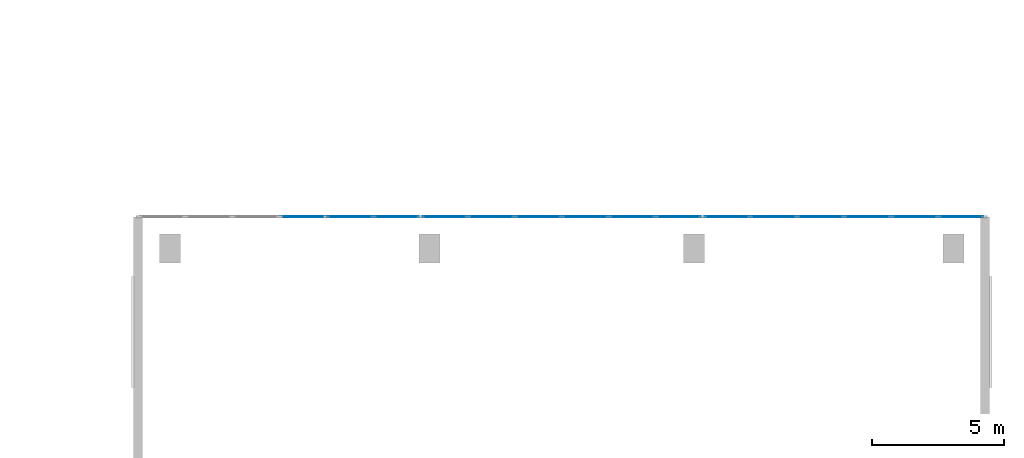
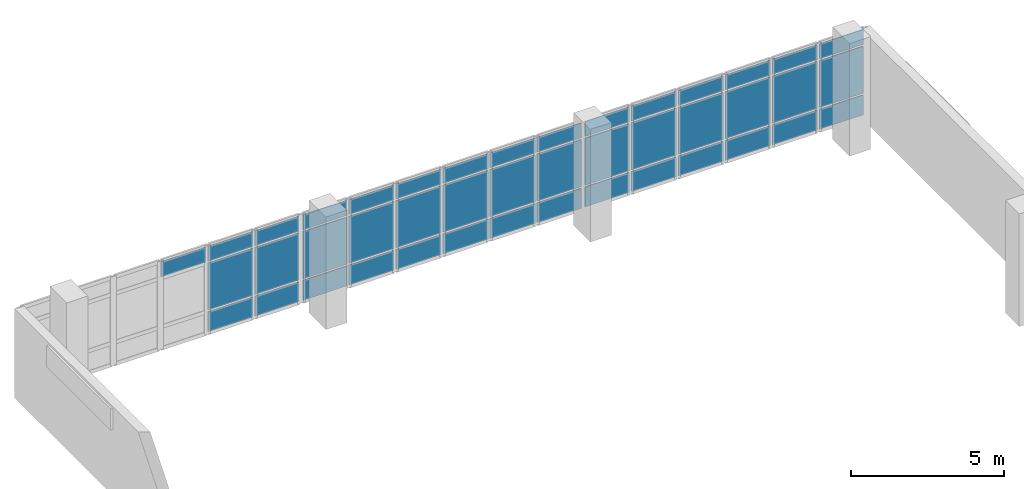
# One storey, part 93 of 120: 43 plates, 3 elements without a shape of their own.
"""IFC4 building model written with IfcOpenShell, lengths in metres."""

from ifc_helpers import new_model, si_unit, direction, frame, origin, origin_2d, place, context, subcontext, project, spatial, rectangle, extrude, material, layer, layer_set, type_object, element, aggregate, save


model = new_model("IFC4")

# Units and contexts
model_context = context("Model", 3, precision=1e-05, world=origin(), true_north=direction((0.0, 1.0)))
body_context = subcontext(model_context, "Body", "Model", "MODEL_VIEW")
ifc_project = project(units=[si_unit("LENGTHUNIT", "METRE"), si_unit("AREAUNIT", "SQUARE_METRE"), si_unit("VOLUMEUNIT", "CUBIC_METRE"), si_unit("PLANEANGLEUNIT", "RADIAN"), si_unit("MASSUNIT", "GRAM", prefix="KILO")], contexts=[model_context])

# Site, building, storey
site_placement = place(None, origin())
site = spatial("IfcSite", under=ifc_project, at=site_placement, CompositionType="ELEMENT")
building_placement = place(site_placement, origin())
building = spatial("IfcBuilding", under=site, at=building_placement, Name="Sohan Crest Arena", CompositionType="ELEMENT")
storey_placement = place(building_placement, frame((0.0, 0.0, 13.5)))
storey = spatial("IfcBuildingStorey", under=building, at=storey_placement, Name="L03", CompositionType="ELEMENT", Elevation=13.5)

# Curtain wall, plates
ifc_material_1 = material(Name="Thermally broken anodised aluminium", Category="aluminium")
ifc_layer_1 = layer(ifc_material_1, 0.2099609375, Name="Thermally broken anodised aluminium")
ifc_layer_set_1 = layer_set([ifc_layer_1], Name="Thermally broken anodised aluminium")
curtain_wall_type = type_object("IfcCurtainWallType", Name="ARC-CW06", PredefinedType="NOTDEFINED", material=ifc_layer_set_1)
curtain_wall_1_placement = place(storey_placement, origin())
curtain_wall_1 = element("IfcCurtainWall", 1, at=curtain_wall_1_placement, inside=storey, type_object=curtain_wall_type, Name="Unitised curtain wall CW-220", PredefinedType="NOTDEFINED")
ifc_material_2 = material(Name="Ceramic-fritted solar-control insulated glass", Category="glass")
ifc_layer_2 = layer(ifc_material_2, 0.035888671875, Name="Ceramic-fritted solar-control insulated glass")
ifc_layer_set_2 = layer_set([ifc_layer_2], Name="Ceramic-fritted solar-control insulated glass")
plate_type = type_object("IfcPlateType", Name="ARC-CNP03", PredefinedType="CURTAIN_PANEL", material=ifc_layer_set_2)
plate_1_placement = place(storey_placement, frame((226.09228515625, 112.0, 0.070068359375), z_axis=(0.0, 0.0, 1.0), x_axis=(-1.0, 0.0, 0.0)))
plate_1 = element("IfcPlate", 2, at=plate_1_placement, type_object=plate_type, Name="CW-220 panel 1.1", PredefinedType="CURTAIN_PANEL", context=body_context, shape_type="SweptSolid", body=[
    extrude(rectangle(XDim=1.665283203125, YDim=0.035888671875, at=origin_2d()), origin(), (0.0, 0.0, 1.0), 0.794921875),
])
plate_2_placement = place(storey_placement, frame((226.09228515625, 112.0, 0.93505859375), z_axis=(0.0, 0.0, 1.0), x_axis=(-1.0, 0.0, 0.0)))
plate_2 = element("IfcPlate", 3, at=plate_2_placement, type_object=plate_type, Name="CW-220 panel 1.2", PredefinedType="CURTAIN_PANEL", context=body_context, shape_type="SweptSolid", body=[
    extrude(rectangle(XDim=1.665283203125, YDim=0.035888671875, at=origin_2d()), origin(), (0.0, 0.0, 1.0), 1.8798828125),
])
plate_3_placement = place(storey_placement, frame((226.09228515625, 112.0, 2.88525390625), z_axis=(0.0, 0.0, 1.0), x_axis=(-1.0, 0.0, 0.0)))
plate_3 = element("IfcPlate", 4, at=plate_3_placement, type_object=plate_type, Name="CW-220 panel 1.3", PredefinedType="CURTAIN_PANEL", context=body_context, shape_type="SweptSolid", body=[
    extrude(rectangle(XDim=1.665283203125, YDim=0.035888671875, at=origin_2d()), origin(), (0.0, 0.0, 1.0), 0.594970703125),
])
plate_4_placement = place(storey_placement, frame((224.333251953125, 112.0, 0.070068359375), z_axis=(0.0, 0.0, 1.0), x_axis=(-1.0, 0.0, 0.0)))
plate_4 = element("IfcPlate", 5, at=plate_4_placement, type_object=plate_type, Name="CW-220 panel 2.1", PredefinedType="CURTAIN_PANEL", context=body_context, shape_type="SweptSolid", body=[
    extrude(rectangle(XDim=1.702880859375, YDim=0.035888671875, at=origin_2d()), origin(), (0.0, 0.0, 1.0), 0.794921875),
])
plate_5_placement = place(storey_placement, frame((224.333251953125, 112.0, 0.93505859375), z_axis=(0.0, 0.0, 1.0), x_axis=(-1.0, 0.0, 0.0)))
plate_5 = element("IfcPlate", 6, at=plate_5_placement, type_object=plate_type, Name="CW-220 panel 2.2", PredefinedType="CURTAIN_PANEL", context=body_context, shape_type="SweptSolid", body=[
    extrude(rectangle(XDim=1.702880859375, YDim=0.035888671875, at=origin_2d()), origin(), (0.0, 0.0, 1.0), 1.8798828125),
])
plate_6_placement = place(storey_placement, frame((224.333251953125, 112.0, 2.88525390625), z_axis=(0.0, 0.0, 1.0), x_axis=(-1.0, 0.0, 0.0)))
plate_6 = element("IfcPlate", 7, at=plate_6_placement, type_object=plate_type, Name="CW-220 panel 2.3", PredefinedType="CURTAIN_PANEL", context=body_context, shape_type="SweptSolid", body=[
    extrude(rectangle(XDim=1.702880859375, YDim=0.035888671875, at=origin_2d()), origin(), (0.0, 0.0, 1.0), 0.594970703125),
])
plate_7_placement = place(storey_placement, frame((222.555419921875, 112.0, 0.070068359375), z_axis=(0.0, 0.0, 1.0), x_axis=(-1.0, 0.0, 0.0)))
plate_7 = element("IfcPlate", 8, at=plate_7_placement, type_object=plate_type, Name="CW-220 panel 3.1", PredefinedType="CURTAIN_PANEL", context=body_context, shape_type="SweptSolid", body=[
    extrude(rectangle(XDim=1.702880859375, YDim=0.035888671875, at=origin_2d()), origin(), (0.0, 0.0, 1.0), 0.794921875),
])
plate_8_placement = place(storey_placement, frame((222.555419921875, 112.0, 0.93505859375), z_axis=(0.0, 0.0, 1.0), x_axis=(-1.0, 0.0, 0.0)))
plate_8 = element("IfcPlate", 9, at=plate_8_placement, type_object=plate_type, Name="CW-220 panel 3.2", PredefinedType="CURTAIN_PANEL", context=body_context, shape_type="SweptSolid", body=[
    extrude(rectangle(XDim=1.702880859375, YDim=0.035888671875, at=origin_2d()), origin(), (0.0, 0.0, 1.0), 1.8798828125),
])
plate_9_placement = place(storey_placement, frame((222.555419921875, 112.0, 2.88525390625), z_axis=(0.0, 0.0, 1.0), x_axis=(-1.0, 0.0, 0.0)))
plate_9 = element("IfcPlate", 10, at=plate_9_placement, type_object=plate_type, Name="CW-220 panel 3.3", PredefinedType="CURTAIN_PANEL", context=body_context, shape_type="SweptSolid", body=[
    extrude(rectangle(XDim=1.702880859375, YDim=0.035888671875, at=origin_2d()), origin(), (0.0, 0.0, 1.0), 0.594970703125),
])
plate_10_placement = place(storey_placement, frame((220.777587890625, 112.0, 0.070068359375), z_axis=(0.0, 0.0, 1.0), x_axis=(-1.0, 0.0, 0.0)))
plate_10 = element("IfcPlate", 11, at=plate_10_placement, type_object=plate_type, Name="CW-220 panel 4.1", PredefinedType="CURTAIN_PANEL", context=body_context, shape_type="SweptSolid", body=[
    extrude(rectangle(XDim=1.702880859375, YDim=0.035888671875, at=origin_2d()), origin(), (0.0, 0.0, 1.0), 0.794921875),
])
plate_11_placement = place(storey_placement, frame((220.777587890625, 112.0, 0.93505859375), z_axis=(0.0, 0.0, 1.0), x_axis=(-1.0, 0.0, 0.0)))
plate_11 = element("IfcPlate", 12, at=plate_11_placement, type_object=plate_type, Name="CW-220 panel 4.2", PredefinedType="CURTAIN_PANEL", context=body_context, shape_type="SweptSolid", body=[
    extrude(rectangle(XDim=1.702880859375, YDim=0.035888671875, at=origin_2d()), origin(), (0.0, 0.0, 1.0), 1.8798828125),
])
plate_12_placement = place(storey_placement, frame((220.777587890625, 112.0, 2.88525390625), z_axis=(0.0, 0.0, 1.0), x_axis=(-1.0, 0.0, 0.0)))
plate_12 = element("IfcPlate", 13, at=plate_12_placement, type_object=plate_type, Name="CW-220 panel 4.3", PredefinedType="CURTAIN_PANEL", context=body_context, shape_type="SweptSolid", body=[
    extrude(rectangle(XDim=1.702880859375, YDim=0.035888671875, at=origin_2d()), origin(), (0.0, 0.0, 1.0), 0.594970703125),
])
plate_13_placement = place(storey_placement, frame((218.999755859375, 112.0, 0.070068359375), z_axis=(0.0, 0.0, 1.0), x_axis=(-1.0, 0.0, 0.0)))
plate_13 = element("IfcPlate", 14, at=plate_13_placement, type_object=plate_type, Name="CW-220 panel 5.1", PredefinedType="CURTAIN_PANEL", context=body_context, shape_type="SweptSolid", body=[
    extrude(rectangle(XDim=1.702880859375, YDim=0.035888671875, at=origin_2d()), origin(), (0.0, 0.0, 1.0), 0.794921875),
])
plate_14_placement = place(storey_placement, frame((218.999755859375, 112.0, 0.93505859375), z_axis=(0.0, 0.0, 1.0), x_axis=(-1.0, 0.0, 0.0)))
plate_14 = element("IfcPlate", 15, at=plate_14_placement, type_object=plate_type, Name="CW-220 panel 5.2", PredefinedType="CURTAIN_PANEL", context=body_context, shape_type="SweptSolid", body=[
    extrude(rectangle(XDim=1.702880859375, YDim=0.035888671875, at=origin_2d()), origin(), (0.0, 0.0, 1.0), 1.8798828125),
])
plate_15_placement = place(storey_placement, frame((218.999755859375, 112.0, 2.88525390625), z_axis=(0.0, 0.0, 1.0), x_axis=(-1.0, 0.0, 0.0)))
plate_15 = element("IfcPlate", 16, at=plate_15_placement, type_object=plate_type, Name="CW-220 panel 5.3", PredefinedType="CURTAIN_PANEL", context=body_context, shape_type="SweptSolid", body=[
    extrude(rectangle(XDim=1.702880859375, YDim=0.035888671875, at=origin_2d()), origin(), (0.0, 0.0, 1.0), 0.594970703125),
])
plate_16_placement = place(storey_placement, frame((217.24072265625, 112.0, 0.070068359375), z_axis=(0.0, 0.0, 1.0), x_axis=(-1.0, 0.0, 0.0)))
plate_16 = element("IfcPlate", 17, at=plate_16_placement, type_object=plate_type, Name="CW-220 panel 6.1", PredefinedType="CURTAIN_PANEL", context=body_context, shape_type="SweptSolid", body=[
    extrude(rectangle(XDim=1.665283203125, YDim=0.035888671875, at=origin_2d()), origin(), (0.0, 0.0, 1.0), 0.794921875),
])
plate_17_placement = place(storey_placement, frame((217.24072265625, 112.0, 0.93505859375), z_axis=(0.0, 0.0, 1.0), x_axis=(-1.0, 0.0, 0.0)))
plate_17 = element("IfcPlate", 18, at=plate_17_placement, type_object=plate_type, Name="CW-220 panel 6.2", PredefinedType="CURTAIN_PANEL", context=body_context, shape_type="SweptSolid", body=[
    extrude(rectangle(XDim=1.665283203125, YDim=0.035888671875, at=origin_2d()), origin(), (0.0, 0.0, 1.0), 1.8798828125),
])
plate_18_placement = place(storey_placement, frame((217.24072265625, 112.0, 2.88525390625), z_axis=(0.0, 0.0, 1.0), x_axis=(-1.0, 0.0, 0.0)))
plate_18 = element("IfcPlate", 19, at=plate_18_placement, type_object=plate_type, Name="CW-220 panel 6.3", PredefinedType="CURTAIN_PANEL", context=body_context, shape_type="SweptSolid", body=[
    extrude(rectangle(XDim=1.665283203125, YDim=0.035888671875, at=origin_2d()), origin(), (0.0, 0.0, 1.0), 0.594970703125),
])
aggregate(curtain_wall_1, [plate_1, plate_2, plate_3, plate_4, plate_5, plate_6, plate_7, plate_8, plate_9, plate_10, plate_11, plate_12, plate_13, plate_14, plate_15, plate_16, plate_17, plate_18])

curtain_wall_2_placement = place(storey_placement, origin())
curtain_wall_2 = element("IfcCurtainWall", 20, at=curtain_wall_2_placement, inside=storey, type_object=curtain_wall_type, Name="Unitised curtain wall CW-221", PredefinedType="NOTDEFINED")
plate_19_placement = place(storey_placement, frame((215.425537109375, 112.0, 0.070068359375), z_axis=(0.0, 0.0, 1.0), x_axis=(-1.0, 0.0, 0.0)))
plate_19 = element("IfcPlate", 21, at=plate_19_placement, type_object=plate_type, Name="CW-221 panel 1.1", PredefinedType="CURTAIN_PANEL", context=body_context, shape_type="SweptSolid", body=[
    extrude(rectangle(XDim=1.665283203125, YDim=0.035888671875, at=origin_2d()), origin(), (0.0, 0.0, 1.0), 0.794921875),
])
plate_20_placement = place(storey_placement, frame((215.425537109375, 112.0, 0.93505859375), z_axis=(0.0, 0.0, 1.0), x_axis=(-1.0, 0.0, 0.0)))
plate_20 = element("IfcPlate", 22, at=plate_20_placement, type_object=plate_type, Name="CW-221 panel 1.2", PredefinedType="CURTAIN_PANEL", context=body_context, shape_type="SweptSolid", body=[
    extrude(rectangle(XDim=1.665283203125, YDim=0.035888671875, at=origin_2d()), origin(), (0.0, 0.0, 1.0), 1.8798828125),
])
plate_21_placement = place(storey_placement, frame((215.425537109375, 112.0, 2.88525390625), z_axis=(0.0, 0.0, 1.0), x_axis=(-1.0, 0.0, 0.0)))
plate_21 = element("IfcPlate", 23, at=plate_21_placement, type_object=plate_type, Name="CW-221 panel 1.3", PredefinedType="CURTAIN_PANEL", context=body_context, shape_type="SweptSolid", body=[
    extrude(rectangle(XDim=1.665283203125, YDim=0.035888671875, at=origin_2d()), origin(), (0.0, 0.0, 1.0), 0.594970703125),
])
plate_22_placement = place(storey_placement, frame((213.66650390625, 112.0, 0.070068359375), z_axis=(0.0, 0.0, 1.0), x_axis=(-1.0, 0.0, 0.0)))
plate_22 = element("IfcPlate", 24, at=plate_22_placement, type_object=plate_type, Name="CW-221 panel 2.1", PredefinedType="CURTAIN_PANEL", context=body_context, shape_type="SweptSolid", body=[
    extrude(rectangle(XDim=1.70263671875, YDim=0.035888671875, at=origin_2d()), origin(), (0.0, 0.0, 1.0), 0.794921875),
])
plate_23_placement = place(storey_placement, frame((213.66650390625, 112.0, 0.93505859375), z_axis=(0.0, 0.0, 1.0), x_axis=(-1.0, 0.0, 0.0)))
plate_23 = element("IfcPlate", 25, at=plate_23_placement, type_object=plate_type, Name="CW-221 panel 2.2", PredefinedType="CURTAIN_PANEL", context=body_context, shape_type="SweptSolid", body=[
    extrude(rectangle(XDim=1.70263671875, YDim=0.035888671875, at=origin_2d()), origin(), (0.0, 0.0, 1.0), 1.8798828125),
])
plate_24_placement = place(storey_placement, frame((213.66650390625, 112.0, 2.88525390625), z_axis=(0.0, 0.0, 1.0), x_axis=(-1.0, 0.0, 0.0)))
plate_24 = element("IfcPlate", 26, at=plate_24_placement, type_object=plate_type, Name="CW-221 panel 2.3", PredefinedType="CURTAIN_PANEL", context=body_context, shape_type="SweptSolid", body=[
    extrude(rectangle(XDim=1.70263671875, YDim=0.035888671875, at=origin_2d()), origin(), (0.0, 0.0, 1.0), 0.594970703125),
])
plate_25_placement = place(storey_placement, frame((211.888916015625, 112.0, 0.070068359375), z_axis=(0.0, 0.0, 1.0), x_axis=(-1.0, 0.0, 0.0)))
plate_25 = element("IfcPlate", 27, at=plate_25_placement, type_object=plate_type, Name="CW-221 panel 3.1", PredefinedType="CURTAIN_PANEL", context=body_context, shape_type="SweptSolid", body=[
    extrude(rectangle(XDim=1.70263671875, YDim=0.035888671875, at=origin_2d()), origin(), (0.0, 0.0, 1.0), 0.794921875),
])
plate_26_placement = place(storey_placement, frame((211.888916015625, 112.0, 0.93505859375), z_axis=(0.0, 0.0, 1.0), x_axis=(-1.0, 0.0, 0.0)))
plate_26 = element("IfcPlate", 28, at=plate_26_placement, type_object=plate_type, Name="CW-221 panel 3.2", PredefinedType="CURTAIN_PANEL", context=body_context, shape_type="SweptSolid", body=[
    extrude(rectangle(XDim=1.70263671875, YDim=0.035888671875, at=origin_2d()), origin(), (0.0, 0.0, 1.0), 1.8798828125),
])
plate_27_placement = place(storey_placement, frame((211.888916015625, 112.0, 2.88525390625), z_axis=(0.0, 0.0, 1.0), x_axis=(-1.0, 0.0, 0.0)))
plate_27 = element("IfcPlate", 29, at=plate_27_placement, type_object=plate_type, Name="CW-221 panel 3.3", PredefinedType="CURTAIN_PANEL", context=body_context, shape_type="SweptSolid", body=[
    extrude(rectangle(XDim=1.70263671875, YDim=0.035888671875, at=origin_2d()), origin(), (0.0, 0.0, 1.0), 0.594970703125),
])
plate_28_placement = place(storey_placement, frame((210.111083984375, 112.0, 0.070068359375), z_axis=(0.0, 0.0, 1.0), x_axis=(-1.0, 0.0, 0.0)))
plate_28 = element("IfcPlate", 30, at=plate_28_placement, type_object=plate_type, Name="CW-221 panel 4.1", PredefinedType="CURTAIN_PANEL", context=body_context, shape_type="SweptSolid", body=[
    extrude(rectangle(XDim=1.70263671875, YDim=0.035888671875, at=origin_2d()), origin(), (0.0, 0.0, 1.0), 0.794921875),
])
plate_29_placement = place(storey_placement, frame((210.111083984375, 112.0, 0.93505859375), z_axis=(0.0, 0.0, 1.0), x_axis=(-1.0, 0.0, 0.0)))
plate_29 = element("IfcPlate", 31, at=plate_29_placement, type_object=plate_type, Name="CW-221 panel 4.2", PredefinedType="CURTAIN_PANEL", context=body_context, shape_type="SweptSolid", body=[
    extrude(rectangle(XDim=1.70263671875, YDim=0.035888671875, at=origin_2d()), origin(), (0.0, 0.0, 1.0), 1.8798828125),
])
plate_30_placement = place(storey_placement, frame((210.111083984375, 112.0, 2.88525390625), z_axis=(0.0, 0.0, 1.0), x_axis=(-1.0, 0.0, 0.0)))
plate_30 = element("IfcPlate", 32, at=plate_30_placement, type_object=plate_type, Name="CW-221 panel 4.3", PredefinedType="CURTAIN_PANEL", context=body_context, shape_type="SweptSolid", body=[
    extrude(rectangle(XDim=1.70263671875, YDim=0.035888671875, at=origin_2d()), origin(), (0.0, 0.0, 1.0), 0.594970703125),
])
plate_31_placement = place(storey_placement, frame((208.33349609375, 112.0, 0.070068359375), z_axis=(0.0, 0.0, 1.0), x_axis=(-1.0, 0.0, 0.0)))
plate_31 = element("IfcPlate", 33, at=plate_31_placement, type_object=plate_type, Name="CW-221 panel 5.1", PredefinedType="CURTAIN_PANEL", context=body_context, shape_type="SweptSolid", body=[
    extrude(rectangle(XDim=1.70263671875, YDim=0.035888671875, at=origin_2d()), origin(), (0.0, 0.0, 1.0), 0.794921875),
])
plate_32_placement = place(storey_placement, frame((208.33349609375, 112.0, 0.93505859375), z_axis=(0.0, 0.0, 1.0), x_axis=(-1.0, 0.0, 0.0)))
plate_32 = element("IfcPlate", 34, at=plate_32_placement, type_object=plate_type, Name="CW-221 panel 5.2", PredefinedType="CURTAIN_PANEL", context=body_context, shape_type="SweptSolid", body=[
    extrude(rectangle(XDim=1.70263671875, YDim=0.035888671875, at=origin_2d()), origin(), (0.0, 0.0, 1.0), 1.8798828125),
])
plate_33_placement = place(storey_placement, frame((208.33349609375, 112.0, 2.88525390625), z_axis=(0.0, 0.0, 1.0), x_axis=(-1.0, 0.0, 0.0)))
plate_33 = element("IfcPlate", 35, at=plate_33_placement, type_object=plate_type, Name="CW-221 panel 5.3", PredefinedType="CURTAIN_PANEL", context=body_context, shape_type="SweptSolid", body=[
    extrude(rectangle(XDim=1.70263671875, YDim=0.035888671875, at=origin_2d()), origin(), (0.0, 0.0, 1.0), 0.594970703125),
])
plate_34_placement = place(storey_placement, frame((206.574462890625, 112.0, 0.070068359375), z_axis=(0.0, 0.0, 1.0), x_axis=(-1.0, 0.0, 0.0)))
plate_34 = element("IfcPlate", 36, at=plate_34_placement, type_object=plate_type, Name="CW-221 panel 6.1", PredefinedType="CURTAIN_PANEL", context=body_context, shape_type="SweptSolid", body=[
    extrude(rectangle(XDim=1.665283203125, YDim=0.035888671875, at=origin_2d()), origin(), (0.0, 0.0, 1.0), 0.794921875),
])
plate_35_placement = place(storey_placement, frame((206.574462890625, 112.0, 0.93505859375), z_axis=(0.0, 0.0, 1.0), x_axis=(-1.0, 0.0, 0.0)))
plate_35 = element("IfcPlate", 37, at=plate_35_placement, type_object=plate_type, Name="CW-221 panel 6.2", PredefinedType="CURTAIN_PANEL", context=body_context, shape_type="SweptSolid", body=[
    extrude(rectangle(XDim=1.665283203125, YDim=0.035888671875, at=origin_2d()), origin(), (0.0, 0.0, 1.0), 1.8798828125),
])
plate_36_placement = place(storey_placement, frame((206.574462890625, 112.0, 2.88525390625), z_axis=(0.0, 0.0, 1.0), x_axis=(-1.0, 0.0, 0.0)))
plate_36 = element("IfcPlate", 38, at=plate_36_placement, type_object=plate_type, Name="CW-221 panel 6.3", PredefinedType="CURTAIN_PANEL", context=body_context, shape_type="SweptSolid", body=[
    extrude(rectangle(XDim=1.665283203125, YDim=0.035888671875, at=origin_2d()), origin(), (0.0, 0.0, 1.0), 0.594970703125),
])
aggregate(curtain_wall_2, [plate_19, plate_20, plate_21, plate_22, plate_23, plate_24, plate_25, plate_26, plate_27, plate_28, plate_29, plate_30, plate_31, plate_32, plate_33, plate_34, plate_35, plate_36])

curtain_wall_3_placement = place(storey_placement, origin())
curtain_wall_3 = element("IfcCurtainWall", 39, at=curtain_wall_3_placement, inside=storey, type_object=curtain_wall_type, Name="Unitised curtain wall CW-222", PredefinedType="NOTDEFINED")
plate_37_placement = place(storey_placement, frame((204.75927734375, 112.0, 0.070068359375), z_axis=(0.0, 0.0, 1.0), x_axis=(-1.0, 0.0, 0.0)))
plate_37 = element("IfcPlate", 40, at=plate_37_placement, type_object=plate_type, Name="CW-222 panel 1.1", PredefinedType="CURTAIN_PANEL", context=body_context, shape_type="SweptSolid", body=[
    extrude(rectangle(XDim=1.665283203125, YDim=0.035888671875, at=origin_2d()), origin(), (0.0, 0.0, 1.0), 0.794921875),
])
plate_38_placement = place(storey_placement, frame((204.75927734375, 112.0, 0.93505859375), z_axis=(0.0, 0.0, 1.0), x_axis=(-1.0, 0.0, 0.0)))
plate_38 = element("IfcPlate", 41, at=plate_38_placement, type_object=plate_type, Name="CW-222 panel 1.2", PredefinedType="CURTAIN_PANEL", context=body_context, shape_type="SweptSolid", body=[
    extrude(rectangle(XDim=1.665283203125, YDim=0.035888671875, at=origin_2d()), origin(), (0.0, 0.0, 1.0), 1.8798828125),
])
plate_39_placement = place(storey_placement, frame((204.75927734375, 112.0, 2.88525390625), z_axis=(0.0, 0.0, 1.0), x_axis=(-1.0, 0.0, 0.0)))
plate_39 = element("IfcPlate", 42, at=plate_39_placement, type_object=plate_type, Name="CW-222 panel 1.3", PredefinedType="CURTAIN_PANEL", context=body_context, shape_type="SweptSolid", body=[
    extrude(rectangle(XDim=1.665283203125, YDim=0.035888671875, at=origin_2d()), origin(), (0.0, 0.0, 1.0), 0.594970703125),
])
plate_40_placement = place(storey_placement, frame((203.000244140625, 112.0, 0.070068359375), z_axis=(0.0, 0.0, 1.0), x_axis=(-1.0, 0.0, 0.0)))
plate_40 = element("IfcPlate", 43, at=plate_40_placement, type_object=plate_type, Name="CW-222 panel 2.1", PredefinedType="CURTAIN_PANEL", context=body_context, shape_type="SweptSolid", body=[
    extrude(rectangle(XDim=1.702880859375, YDim=0.035888671875, at=origin_2d()), origin(), (0.0, 0.0, 1.0), 0.794921875),
])
plate_41_placement = place(storey_placement, frame((203.000244140625, 112.0, 0.93505859375), z_axis=(0.0, 0.0, 1.0), x_axis=(-1.0, 0.0, 0.0)))
plate_41 = element("IfcPlate", 44, at=plate_41_placement, type_object=plate_type, Name="CW-222 panel 2.2", PredefinedType="CURTAIN_PANEL", context=body_context, shape_type="SweptSolid", body=[
    extrude(rectangle(XDim=1.702880859375, YDim=0.035888671875, at=origin_2d()), origin(), (0.0, 0.0, 1.0), 1.8798828125),
])
plate_42_placement = place(storey_placement, frame((203.000244140625, 112.0, 2.88525390625), z_axis=(0.0, 0.0, 1.0), x_axis=(-1.0, 0.0, 0.0)))
plate_42 = element("IfcPlate", 45, at=plate_42_placement, type_object=plate_type, Name="CW-222 panel 2.3", PredefinedType="CURTAIN_PANEL", context=body_context, shape_type="SweptSolid", body=[
    extrude(rectangle(XDim=1.702880859375, YDim=0.035888671875, at=origin_2d()), origin(), (0.0, 0.0, 1.0), 0.594970703125),
])
plate_43_placement = place(storey_placement, frame((201.222412109375, 112.0, 2.88525390625), z_axis=(0.0, 0.0, 1.0), x_axis=(-1.0, 0.0, 0.0)))
plate_43 = element("IfcPlate", 46, at=plate_43_placement, type_object=plate_type, Name="CW-222 panel 3.3", PredefinedType="CURTAIN_PANEL", context=body_context, shape_type="SweptSolid", body=[
    extrude(rectangle(XDim=1.702880859375, YDim=0.035888671875, at=origin_2d()), origin(), (0.0, 0.0, 1.0), 0.594970703125),
])
aggregate(curtain_wall_3, [plate_37, plate_38, plate_39, plate_40, plate_41, plate_42, plate_43])

save(model, "model.ifc")
